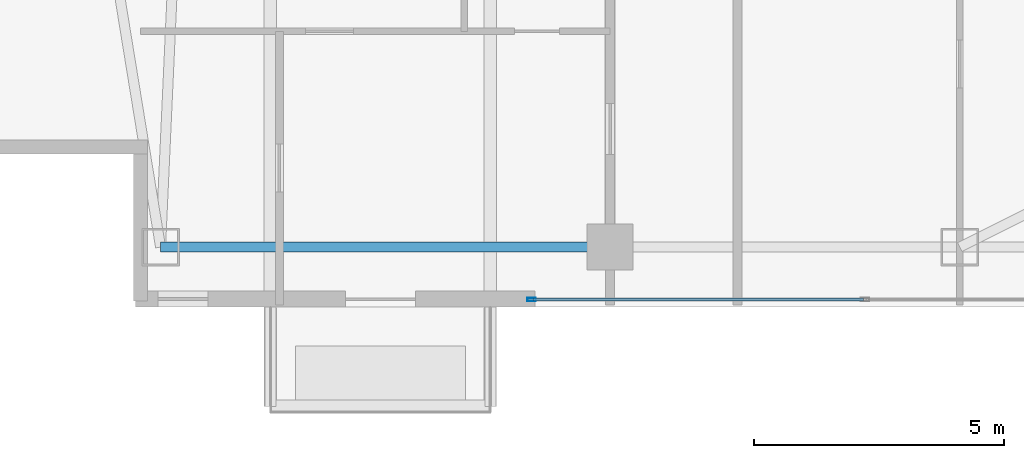
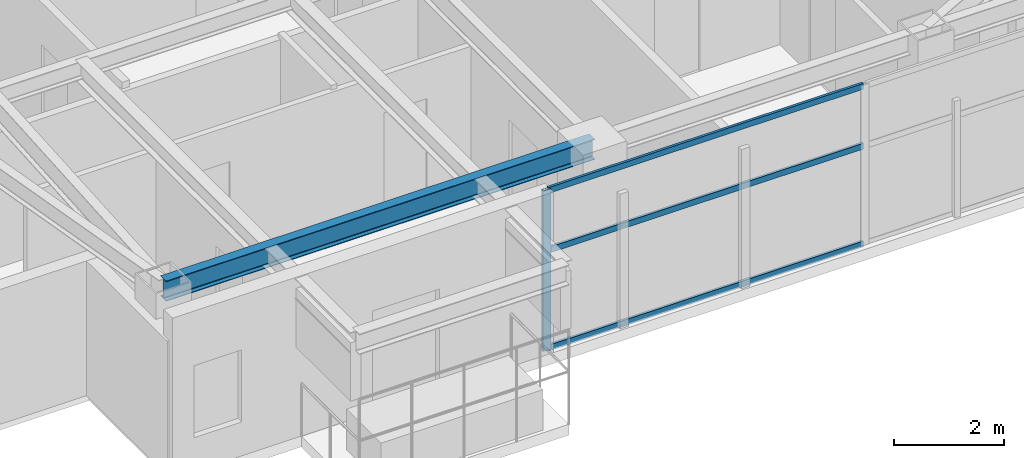
# One storey, part 3 of 27: 4 members, 1 beam, 1 element without a shape of its own.
"""IFC4 building model written with IfcOpenShell, lengths in metres."""

from ifc_helpers import new_model, si_unit, direction, frame, origin, origin_2d, place, context, subcontext, project, spatial, hollow_rectangle, i_section, extrude, material, layer, layer_set, material_profile, profile_set, type_object, element, aggregate, save


model = new_model("IFC4")

# Units and contexts
model_context = context("Model", 3, precision=1e-05, world=origin(), true_north=direction((0.0, 1.0)))
body_context = subcontext(model_context, "Body", "Model", "MODEL_VIEW")
ifc_project = project(units=[si_unit("LENGTHUNIT", "METRE"), si_unit("AREAUNIT", "SQUARE_METRE"), si_unit("VOLUMEUNIT", "CUBIC_METRE"), si_unit("PLANEANGLEUNIT", "RADIAN"), si_unit("MASSUNIT", "GRAM", prefix="KILO")], contexts=[model_context])

# Site, building, storey
site_placement = place(None, origin())
site = spatial("IfcSite", under=ifc_project, at=site_placement, CompositionType="ELEMENT")
building_placement = place(site_placement, origin())
building = spatial("IfcBuilding", under=site, at=building_placement, Name="Calvorn Quay Hotel", CompositionType="ELEMENT")
storey_placement = place(building_placement, frame((0.0, 0.0, 294.89990234375)))
storey = spatial("IfcBuildingStorey", under=building, at=storey_placement, Name="L73", CompositionType="ELEMENT", Elevation=294.89990234375)

# Beam
ifc_material_1 = material(Name="Steel Q355B", Category="steel")
ifc_material_profile_1 = material_profile(ifc_material_1, i_section(OverallWidth=0.199951171875, OverallDepth=0.449951171875, WebThickness=0.009033203125, FlangeThickness=0.013916015625, FilletRadius=0.01611328125, at=origin_2d()), Name="HN450x200x9x14")
ifc_profile_set_1 = profile_set([ifc_material_profile_1], Name="Steel Q355B")
beam_type = type_object("IfcBeamType", Name="BM-SPANDREL-Z3", PredefinedType="SPANDREL", material=ifc_profile_set_1)
beam_placement = place(storey_placement, frame((3.60009765625, 3.60009765625, 3.315185546875), z_axis=(1.0, 0.0, 0.0), x_axis=(0.0, 1.0, 0.0)))
element("IfcBeam", 1, at=beam_placement, inside=storey, type_object=beam_type, Name="Beam BSP-L73-S1", PredefinedType="SPANDREL", context=body_context, shape_type="SweptSolid", body=[
    extrude(i_section(OverallWidth=0.199951171875, OverallDepth=0.449951171875, WebThickness=0.009033203125, FlangeThickness=0.013916015625, FilletRadius=0.01611328125, at=origin_2d()), origin(), (0.0, 0.0, 1.0), 9.0),
])

# Curtain wall, members
ifc_material_2 = material(Name="Champagne Bronze Anodised Aluminium and Low-E Glass", Category="aluminium")
ifc_layer = layer(ifc_material_2, 0.219970703125)
ifc_layer_set = layer_set([ifc_layer], Name="CW-SYS-Z4")
curtain_wall_type = type_object("IfcCurtainWallType", Name="CW-SYS-Z4", PredefinedType="NOTDEFINED", material=ifc_layer_set)
curtain_wall_placement = place(storey_placement, origin())
curtain_wall = element("IfcCurtainWall", 2, at=curtain_wall_placement, inside=storey, type_object=curtain_wall_type, Name="Tower South Waterfront Curtain Wall (L73)", PredefinedType="NOTDEFINED")
ifc_material_3 = material(Name="Champagne Bronze Anodised Aluminium 6063-T6", Category="aluminium")
ifc_material_profile_2 = material_profile(ifc_material_3, hollow_rectangle(XDim=0.06494140625, YDim=0.169921875, WallThickness=0.00341796875, at=origin_2d()), Name="ALU-M170x65x3.5")
ifc_profile_set_2 = profile_set([ifc_material_profile_2], Name="Champagne Bronze Anodised Aluminium 6063-T6")
member_type_1 = type_object("IfcMemberType", Name="CW-SYS-Z4-MUL", PredefinedType="MULLION", material=ifc_profile_set_2)
member_1_placement = place(storey_placement, frame((11.030029296875, 2.550048828125, 0.0), z_axis=(0.0, 0.0, 1.0), x_axis=(0.0, 1.0, 0.0)))
member_1 = element("IfcMember", 3, at=member_1_placement, type_object=member_type_1, Name="CW-L73-S mullion 1", PredefinedType="MULLION", context=body_context, shape_type="SweptSolid", body=[
    extrude(hollow_rectangle(XDim=0.06494140625, YDim=0.169921875, WallThickness=0.00341796875, at=origin_2d()), origin(), (0.0, 0.0, 1.0), 3.56005859375),
])
ifc_material_4 = material(Name="Champagne Bronze Anodised Aluminium 6063-T6", Category="aluminium")
ifc_material_profile_3 = material_profile(ifc_material_4, hollow_rectangle(XDim=0.054931640625, YDim=0.1298828125, WallThickness=0.003173828125, at=origin_2d()), Name="ALU-T130x55x3.2")
ifc_profile_set_3 = profile_set([ifc_material_profile_3], Name="Champagne Bronze Anodised Aluminium 6063-T6")
member_type_2 = type_object("IfcMemberType", Name="CW-SYS-Z4-TRN", PredefinedType="USERDEFINED", material=ifc_profile_set_3)
member_2_placement = place(storey_placement, frame((11.06005859375, 2.550048828125, 0.030029296875), z_axis=(1.0, 0.0, 0.0), x_axis=(0.0, 1.0, 0.0)))
member_2 = element("IfcMember", 4, at=member_2_placement, type_object=member_type_2, Name="CW-L73-S transom 1.1", ObjectType="TRANSOM", PredefinedType="USERDEFINED", context=body_context, shape_type="SweptSolid", body=[
    extrude(hollow_rectangle(XDim=0.054931640625, YDim=0.1298828125, WallThickness=0.003173828125, at=origin_2d()), origin(), (0.0, 0.0, 1.0), 6.60986328125),
])
member_3_placement = place(storey_placement, frame((11.06005859375, 2.550048828125, 2.2001953125), z_axis=(1.0, 0.0, 0.0), x_axis=(0.0, 1.0, 0.0)))
member_3 = element("IfcMember", 5, at=member_3_placement, type_object=member_type_2, Name="CW-L73-S transom 1.2", ObjectType="TRANSOM", PredefinedType="USERDEFINED", context=body_context, shape_type="SweptSolid", body=[
    extrude(hollow_rectangle(XDim=0.054931640625, YDim=0.1298828125, WallThickness=0.003173828125, at=origin_2d()), origin(), (0.0, 0.0, 1.0), 6.60986328125),
])
member_4_placement = place(storey_placement, frame((11.06005859375, 2.550048828125, 3.530029296875), z_axis=(1.0, 0.0, 0.0), x_axis=(0.0, 1.0, 0.0)))
member_4 = element("IfcMember", 6, at=member_4_placement, type_object=member_type_2, Name="CW-L73-S transom 1.3", ObjectType="TRANSOM", PredefinedType="USERDEFINED", context=body_context, shape_type="SweptSolid", body=[
    extrude(hollow_rectangle(XDim=0.054931640625, YDim=0.1298828125, WallThickness=0.003173828125, at=origin_2d()), origin(), (0.0, 0.0, 1.0), 6.60986328125),
])
aggregate(curtain_wall, [member_1, member_2, member_3, member_4])

save(model, "model.ifc")
